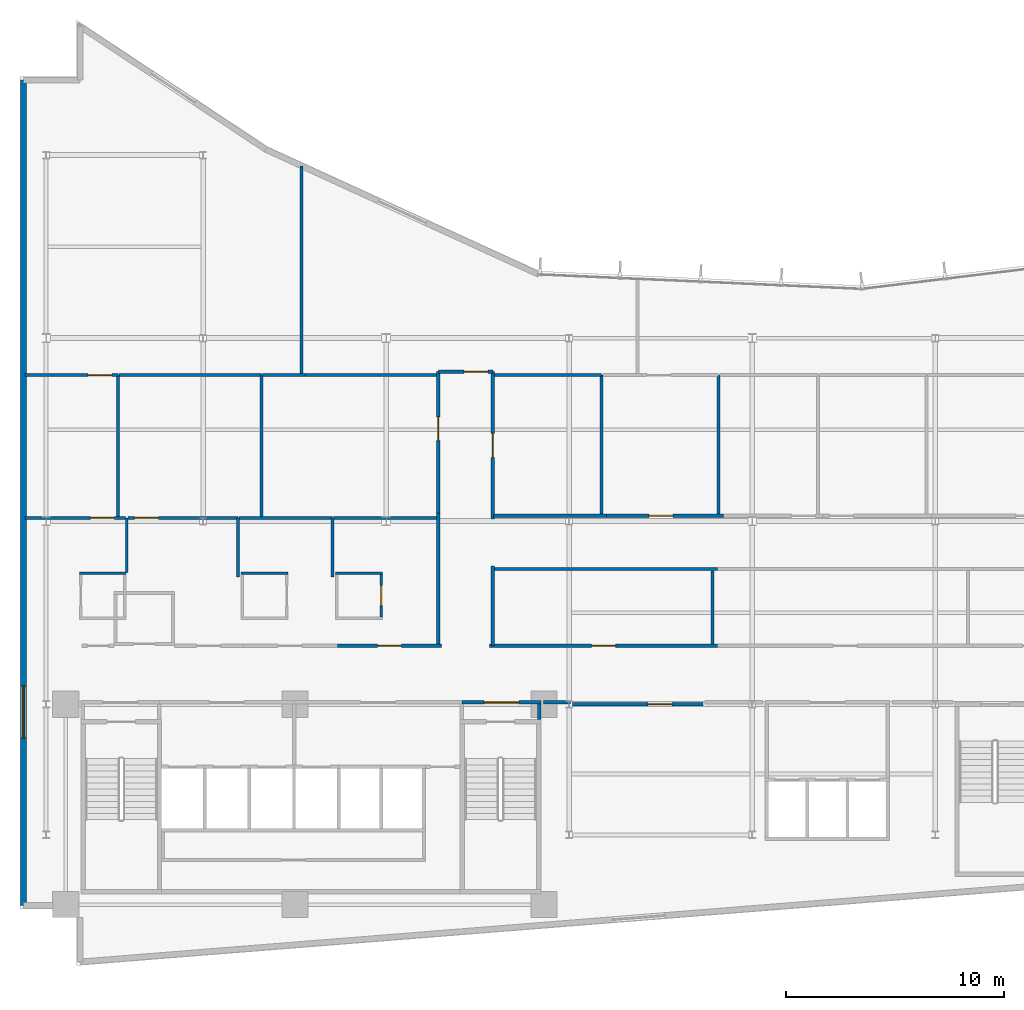
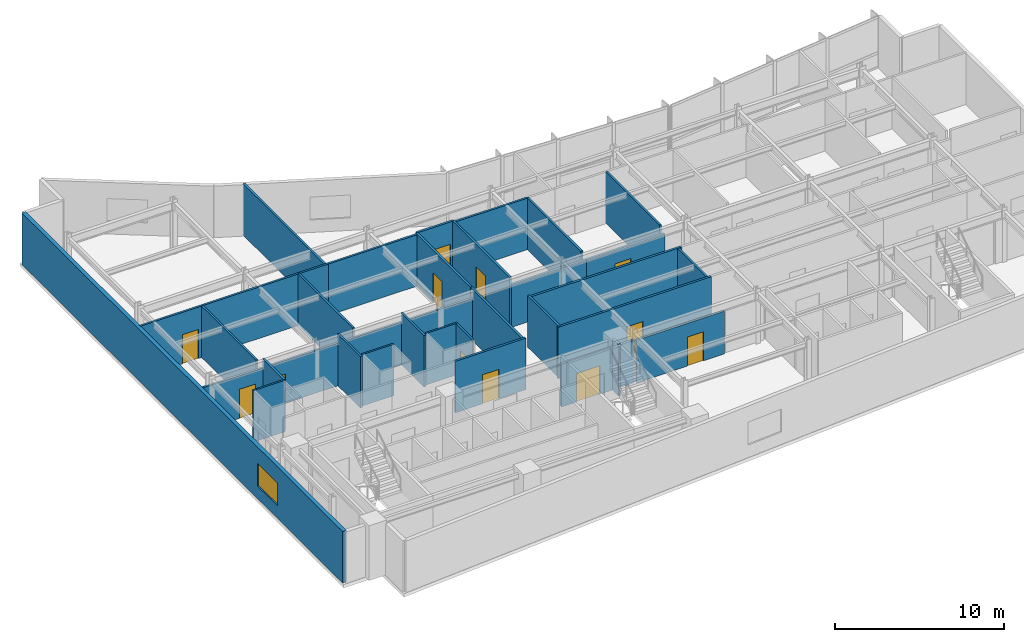
# One storey, part 10 of 17: 37 walls, 12 doors, 1 window, 13 openings.
"""IFC4 building model written with IfcOpenShell, lengths in metres."""

from ifc_helpers import new_model, si_unit, direction, frame, frame_2d, origin, place, context, subcontext, project, spatial, rectangle, extrude, material, layer, layer_set, type_object, element, fill, save


model = new_model("IFC4")

# Units and contexts
model_context = context("Model", 3, precision=1e-05, world=origin(), true_north=direction((0.0, 1.0)))
body_context = subcontext(model_context, "Body", "Model", "MODEL_VIEW")
ifc_project = project(units=[si_unit("LENGTHUNIT", "METRE"), si_unit("AREAUNIT", "SQUARE_METRE"), si_unit("VOLUMEUNIT", "CUBIC_METRE"), si_unit("PLANEANGLEUNIT", "RADIAN"), si_unit("MASSUNIT", "GRAM", prefix="KILO")], contexts=[model_context])

# Site, building, storey
site_placement = place(None, origin())
site = spatial("IfcSite", under=ifc_project, at=site_placement, CompositionType="ELEMENT")
building_placement = place(site_placement, origin())
building = spatial("IfcBuilding", under=site, at=building_placement, Name="Varnakote Quay Hospital", CompositionType="ELEMENT")
storey_placement = place(building_placement, frame((0.0, 0.0, 111.25)))
storey = spatial("IfcBuildingStorey", under=building, at=storey_placement, Name="L27", CompositionType="ELEMENT", Elevation=111.25)

# Wall, opening, door
ifc_material_1 = material(Name="Fire-rated acoustic gypsum stud wall", Category="gypsum")
ifc_layer_1 = layer(ifc_material_1, 0.159912109375)
ifc_layer_set_1 = layer_set([ifc_layer_1], Name="Fire-rated acoustic gypsum stud wall")
wall_type_1 = type_object("IfcWallType", Name="WL-COMP-160", PredefinedType="PARTITIONING", material=ifc_layer_set_1)
wall_1_placement = place(storey_placement, frame((20.280029296875, 12.080078125, 0.0), z_axis=(0.0, 0.0, 1.0), x_axis=(1.0, 0.0, 0.0)))
wall_1 = element("IfcWall", 1, at=wall_1_placement, inside=storey, type_object=wall_type_1, Name="L27 East Stair Vestibule Smoke Wall", PredefinedType="PARTITIONING", context=body_context, shape_type="SweptSolid", body=[
    extrude(rectangle(XDim=3.619873046875, YDim=0.159912109375, at=frame_2d((1.81005859375, 0.0))), origin(), (0.0, 0.0, 1.0), 3.0830078125),
])
opening_1_placement = place(wall_1_placement, frame((1.010009765625, 0.0, 0.0)))
opening_1 = element("IfcOpeningElement", 2, at=opening_1_placement, cuts=wall_1, Name="Opening D-ST2L-L27", PredefinedType="OPENING", context=body_context, shape_type="SweptSolid", body=[
    extrude(rectangle(XDim=1.60009765625, YDim=2.050048828125, at=frame_2d((0.800048828125, 1.02490234375))), frame((0.0, 0.08984375, 0.0), z_axis=(0.0, -1.0, 0.0), x_axis=(1.0, 0.0, 0.0)), (0.0, 0.0, 1.0), 0.179931640625),
])
ifc_material_2 = material(Name="Fire-rated double smoke lobby door")
door_type_1 = type_object("IfcDoorType", Name="DR-LOBBY-FD60S-1600x2150", OperationType="NOTDEFINED", PredefinedType="DOOR", material=ifc_material_2)
door_1_placement = place(opening_1_placement, origin())
door_1 = element("IfcDoor", 3, at=door_1_placement, inside=storey, type_object=door_type_1, Name="L27 East Stair Vestibule Smoke Door", OperationType="DOUBLE_DOOR_SINGLE_SWING", OverallHeight=2.050048828125, OverallWidth=1.60009765625, PredefinedType="DOOR", context=body_context, shape_type="SweptSolid", body=[
    extrude(rectangle(XDim=1.60009765625, YDim=2.050048828125, at=frame_2d((0.800048828125, 1.02490234375))), frame((0.0, 0.02490234375, 0.0), z_axis=(0.0, -1.0, 0.0), x_axis=(1.0, 0.0, 0.0)), (0.0, 0.0, 1.0), 0.050048828125),
])
fill(opening_1, door_1)

# Walls
wall_2_placement = place(storey_placement, frame((23.820068359375, 11.300048828125, 0.0), z_axis=(0.0, 0.0, 1.0), x_axis=(0.0, 1.0, 0.0)))
element("IfcWall", 4, at=wall_2_placement, inside=storey, type_object=wall_type_1, Name="L27 East Stair Vestibule East Wall", PredefinedType="PARTITIONING", context=body_context, shape_type="SweptSolid", body=[
    extrude(rectangle(XDim=0.699951171875, YDim=0.159912109375, at=frame_2d((0.35009765625, 0.0))), origin(), (0.0, 0.0, 1.0), 3.7099609375),
])
wall_3_placement = place(storey_placement, frame((24.02001953125, 12.080078125, 0.0), z_axis=(0.0, 0.0, 1.0), x_axis=(1.0, 0.0, 0.0)))
element("IfcWall", 5, at=wall_3_placement, inside=storey, type_object=wall_type_1, Name="L27 Corridor South Gap Wall", PredefinedType="PARTITIONING", context=body_context, shape_type="SweptSolid", body=[
    extrude(rectangle(XDim=1.2451171875, YDim=0.159912109375, at=frame_2d((0.62255859375, 0.0))), origin(), (0.0, 0.0, 1.0), 3.0830078125),
])
ifc_material_3 = material(Name="Moisture-resistant bathroom partition", Category="gypsum")
ifc_layer_2 = layer(ifc_material_3, 0.114990234375)
ifc_layer_set_2 = layer_set([ifc_layer_2], Name="Moisture-resistant bathroom partition")
wall_type_2 = type_object("IfcWallType", Name="WL-ENS-115", PredefinedType="PARTITIONING", material=ifc_layer_set_2)
for number, where, z_axis, x_axis, name in (
    (6, (2.72509765625, 18.017578125, 0.0), (0.0, 0.0, 1.0), (1.0, 0.0, 0.0), "L27 Inpatient En-Suite Bathroom 01 N Wall"),
    (7, (10.14501953125, 18.017578125, 0.0), (0.0, 0.0, 1.0), (1.0, 0.0, 0.0), "L27 Inpatient En-Suite Bathroom 02 N Wall"),
    (8, (14.485107421875, 18.017578125, 0.0), (0.0, 0.0, 1.0), (1.0, 0.0, 0.0), "L27 Inpatient En-Suite Bathroom 03 N Wall"),
):
    element("IfcWall", number, at=place(storey_placement, frame(where, z_axis=z_axis, x_axis=x_axis)), inside=storey, type_object=wall_type_2, Name=name, PredefinedType="PARTITIONING", context=body_context, shape_type="SweptSolid", body=[
        extrude(rectangle(XDim=2.14990234375, YDim=0.114990234375, at=frame_2d((1.074951171875, 0.0))), origin(), (0.0, 0.0, 1.0), 3.7099609375),
    ])

# Wall, opening, door
wall_4_placement = place(storey_placement, frame((16.577392578125, 16.010009765625, 0.0), z_axis=(0.0, 0.0, 1.0), x_axis=(0.0, 1.0, 0.0)))
wall_4 = element("IfcWall", 9, at=wall_4_placement, inside=storey, type_object=wall_type_2, Name="L27 Inpatient En-Suite Bathroom 03 E Wall", PredefinedType="PARTITIONING", context=body_context, shape_type="SweptSolid", body=[
    extrude(rectangle(XDim=1.949951171875, YDim=0.114990234375, at=frame_2d((0.97509765625, 0.0))), origin(), (0.0, 0.0, 1.0), 3.7099609375),
])
opening_2_placement = place(wall_4_placement, frame((0.514892578125, 0.0, 0.0)))
opening_2 = element("IfcOpeningElement", 10, at=opening_2_placement, cuts=wall_4, Name="Opening D-L27-ENS03", PredefinedType="OPENING", context=body_context, shape_type="SweptSolid", body=[
    extrude(rectangle(XDim=0.919921875, YDim=2.10009765625, at=frame_2d((0.4599609375, 1.050048828125))), frame((0.0, 0.0673828125, 0.0), z_axis=(0.0, -1.0, 0.0), x_axis=(1.0, 0.0, 0.0)), (0.0, 0.0, 1.0), 0.135009765625),
])
ifc_material_4 = material(Name="Moisture-sealed en-suite bathroom door")
door_type_2 = type_object("IfcDoorType", Name="DR-ENS-920x2100", OperationType="NOTDEFINED", PredefinedType="DOOR", material=ifc_material_4)
door_2_placement = place(opening_2_placement, origin())
door_2 = element("IfcDoor", 11, at=door_2_placement, inside=storey, type_object=door_type_2, Name="L27 Inpatient En-Suite Bathroom 03 Door", OperationType="SINGLE_SWING_RIGHT", OverallHeight=2.10009765625, OverallWidth=0.919921875, PredefinedType="DOOR", context=body_context, shape_type="SweptSolid", body=[
    extrude(rectangle(XDim=0.919921875, YDim=2.10009765625, at=frame_2d((0.4599609375, 1.050048828125))), frame((0.0, 0.02490234375, 0.0), z_axis=(0.0, -1.0, 0.0), x_axis=(1.0, 0.0, 0.0)), (0.0, 0.0, 1.0), 0.050048828125),
])
fill(opening_2, door_2)

# Wall, opening, window
ifc_material_5 = material(Name="Precast concrete N50 (f'c 50 MPa)", Category="concrete")
ifc_layer_3 = layer(ifc_material_5, 0.260009765625)
ifc_layer_set_3 = layer_set([ifc_layer_3], Name="Precast concrete N50 (f'c 50 MPa)")
wall_type_3 = type_object("IfcWallType", Name="WL-EXT-BRICK-260", PredefinedType="STANDARD", material=ifc_layer_set_3)
wall_5_placement = place(storey_placement, frame((0.159912109375, 40.639892578125, 0.0), z_axis=(0.0, 0.0, 1.0), x_axis=(0.0, -1.0, 0.0)))
wall_5 = element("IfcWall", 12, at=wall_5_placement, inside=storey, type_object=wall_type_3, Name="L27 Brick-Faced Precast Exterior Wall", PredefinedType="STANDARD", context=body_context, shape_type="SweptSolid", body=[
    extrude(rectangle(XDim=37.8798828125, YDim=0.260009765625, at=frame_2d((18.93994140625, 0.0))), origin(), (0.0, 0.0, 1.0), 3.7099609375),
])
opening_3_placement = place(wall_5_placement, frame((27.794921875, 0.0, 0.89990234375)))
opening_3 = element("IfcOpeningElement", 13, at=opening_3_placement, cuts=wall_5, Name="Opening WN-0121", PredefinedType="OPENING", context=body_context, shape_type="SweptSolid", body=[
    extrude(rectangle(XDim=2.39990234375, YDim=1.64990234375, at=frame_2d((1.199951171875, 0.824951171875))), frame((0.0, 0.139892578125, 0.0), z_axis=(0.0, -1.0, 0.0), x_axis=(1.0, 0.0, 0.0)), (0.0, 0.0, 1.0), 0.280029296875),
])
ifc_material_6 = material(Name="Double-glazed low-E solar glass", Category="glass")
window_type = type_object("IfcWindowType", Name="WIN-CLIN-2400x1650", PartitioningType="SINGLE_PANEL", PredefinedType="WINDOW", material=ifc_material_6)
window_placement = place(opening_3_placement, origin())
window = element("IfcWindow", 14, at=window_placement, inside=storey, type_object=window_type, Name="L27 Solar-Control Clinical Window", OverallHeight=1.64990234375, OverallWidth=2.39990234375, PartitioningType="SINGLE_PANEL", PredefinedType="WINDOW", context=body_context, shape_type="SweptSolid", body=[
    extrude(rectangle(XDim=2.39990234375, YDim=1.64990234375, at=frame_2d((1.199951171875, 0.824951171875))), frame((0.0, 0.030029296875, 0.0), z_axis=(0.0, -1.0, 0.0), x_axis=(1.0, 0.0, 0.0)), (0.0, 0.0, 1.0), 0.06005859375),
])
fill(opening_3, window)

# Wall
ifc_material_7 = material(Name="Smoke-proof clinical partition", Category="gypsum")
ifc_layer_4 = layer(ifc_material_7, 0.135009765625)
ifc_layer_set_4 = layer_set([ifc_layer_4], Name="Smoke-proof clinical partition")
wall_type_4 = type_object("IfcWallType", Name="WL-SMOKE-135", PredefinedType="PARTITIONING", material=ifc_layer_set_4)
wall_6_placement = place(storey_placement, frame((4.89990234375, 18.0400390625, 0.0), z_axis=(0.0, 0.0, 1.0), x_axis=(0.0, 1.0, 0.0)))
element("IfcWall", 15, at=wall_6_placement, inside=storey, type_object=wall_type_4, Name="L27 Clinical Interior Partition", PredefinedType="PARTITIONING", context=body_context, shape_type="SweptSolid", body=[
    extrude(rectangle(XDim=2.510009765625, YDim=0.135009765625, at=frame_2d((1.2548828125, 0.0))), origin(), (0.0, 0.0, 1.0), 3.7099609375),
])

# Wall, opening, door
wall_7_placement = place(storey_placement, frame((4.842529296875, 20.550048828125, 0.0), z_axis=(0.0, 0.0, 1.0), x_axis=(-1.0, 0.0, 0.0)))
wall_7 = element("IfcWall", 16, at=wall_7_placement, inside=storey, type_object=wall_type_4, Name="L27 Clinical Interior Partition", PredefinedType="PARTITIONING", context=body_context, shape_type="SweptSolid", body=[
    extrude(rectangle(XDim=4.6025390625, YDim=0.135009765625, at=frame_2d((2.30126953125, 0.0))), origin(), (0.0, 0.0, 1.0), 3.0830078125),
])
opening_4_placement = place(wall_7_placement, frame((0.51025390625, 0.0, 0.0)))
opening_4 = element("IfcOpeningElement", 17, at=opening_4_placement, cuts=wall_7, Name="Opening D-L27-MD05", PredefinedType="OPENING", context=body_context, shape_type="SweptSolid", body=[
    extrude(rectangle(XDim=1.10009765625, YDim=2.10009765625, at=frame_2d((0.550048828125, 1.050048828125))), frame((0.0, 0.077392578125, 0.0), z_axis=(0.0, -1.0, 0.0), x_axis=(1.0, 0.0, 0.0)), (0.0, 0.0, 1.0), 0.155029296875),
])
ifc_material_8 = material(Name="Acoustic timber clinical consult door", Category="wood")
door_type_3 = type_object("IfcDoorType", Name="DR-CLIN-FD30S-1100x2100", OperationType="NOTDEFINED", PredefinedType="DOOR", material=ifc_material_8)
door_3_placement = place(opening_4_placement, origin())
door_3 = element("IfcDoor", 18, at=door_3_placement, inside=storey, type_object=door_type_3, Name="L27 Paediatric Clinical Teaching Room Door", OperationType="SINGLE_SWING_RIGHT", OverallHeight=2.10009765625, OverallWidth=1.10009765625, PredefinedType="DOOR", context=body_context, shape_type="SweptSolid", body=[
    extrude(rectangle(XDim=1.10009765625, YDim=2.10009765625, at=frame_2d((0.550048828125, 1.050048828125))), frame((0.0, 0.02490234375, 0.0), z_axis=(0.0, -1.0, 0.0), x_axis=(1.0, 0.0, 0.0)), (0.0, 0.0, 1.0), 0.050048828125),
])
fill(opening_4, door_3)

# Wall
wall_8_placement = place(storey_placement, frame((10.0, 17.83251953125, 0.0), z_axis=(0.0, 0.0, 1.0), x_axis=(0.0, 1.0, 0.0)))
element("IfcWall", 19, at=wall_8_placement, inside=storey, type_object=wall_type_4, Name="L27 Clinical Interior Partition", PredefinedType="PARTITIONING", context=body_context, shape_type="SweptSolid", body=[
    extrude(rectangle(XDim=2.717529296875, YDim=0.135009765625, at=frame_2d((1.35888671875, 0.0))), origin(), (0.0, 0.0, 1.0), 3.7099609375),
])

# Wall, opening, door
wall_9_placement = place(storey_placement, frame((10.0, 20.550048828125, 0.0), z_axis=(0.0, 0.0, 1.0), x_axis=(-1.0, 0.0, 0.0)))
wall_9 = element("IfcWall", 20, at=wall_9_placement, inside=storey, type_object=wall_type_4, Name="L27 Clinical Interior Partition", PredefinedType="PARTITIONING", context=body_context, shape_type="SweptSolid", body=[
    extrude(rectangle(XDim=5.04248046875, YDim=0.135009765625, at=frame_2d((2.521240234375, 0.0))), origin(), (0.0, 0.0, 1.0), 3.0830078125),
])
opening_5_placement = place(wall_9_placement, frame((3.65380859375, 0.0, 0.0)))
opening_5 = element("IfcOpeningElement", 21, at=opening_5_placement, cuts=wall_9, Name="Opening D-L27-MD06", PredefinedType="OPENING", context=body_context, shape_type="SweptSolid", body=[
    extrude(rectangle(XDim=1.10009765625, YDim=2.10009765625, at=frame_2d((0.550048828125, 1.050048828125))), frame((0.0, 0.077392578125, 0.0), z_axis=(0.0, -1.0, 0.0), x_axis=(1.0, 0.0, 0.0)), (0.0, 0.0, 1.0), 0.155029296875),
])
door_4_placement = place(opening_5_placement, origin())
door_4 = element("IfcDoor", 22, at=door_4_placement, inside=storey, type_object=door_type_3, Name="L27 Maternity Assessment Treatment Suite Door", OperationType="SINGLE_SWING_LEFT", OverallHeight=2.10009765625, OverallWidth=1.10009765625, PredefinedType="DOOR", context=body_context, shape_type="SweptSolid", body=[
    extrude(rectangle(XDim=1.10009765625, YDim=2.10009765625, at=frame_2d((0.550048828125, 1.050048828125))), frame((0.0, 0.02490234375, 0.0), z_axis=(0.0, -1.0, 0.0), x_axis=(1.0, 0.0, 0.0)), (0.0, 0.0, 1.0), 0.050048828125),
])
fill(opening_5, door_4)

# Walls
wall_10_placement = place(storey_placement, frame((14.340087890625, 17.83251953125, 0.0), z_axis=(0.0, 0.0, 1.0), x_axis=(0.0, 1.0, 0.0)))
element("IfcWall", 23, at=wall_10_placement, inside=storey, type_object=wall_type_4, Name="L27 Clinical Interior Partition", PredefinedType="PARTITIONING", context=body_context, shape_type="SweptSolid", body=[
    extrude(rectangle(XDim=2.717529296875, YDim=0.135009765625, at=frame_2d((1.35888671875, 0.0))), origin(), (0.0, 0.0, 1.0), 3.7099609375),
])
wall_11_placement = place(storey_placement, frame((14.340087890625, 20.550048828125, 0.0), z_axis=(0.0, 0.0, 1.0), x_axis=(-1.0, 0.0, 0.0)))
element("IfcWall", 24, at=wall_11_placement, inside=storey, type_object=wall_type_4, Name="L27 Clinical Interior Partition", PredefinedType="PARTITIONING", context=body_context, shape_type="SweptSolid", body=[
    extrude(rectangle(XDim=4.282470703125, YDim=0.135009765625, at=frame_2d((2.14111328125, 0.0))), origin(), (0.0, 0.0, 1.0), 3.0830078125),
])
wall_12_placement = place(storey_placement, frame((19.1201171875, 20.550048828125, 0.0), z_axis=(0.0, 0.0, 1.0), x_axis=(-1.0, 0.0, 0.0)))
element("IfcWall", 25, at=wall_12_placement, inside=storey, type_object=wall_type_4, Name="L27 Clinical Interior Partition", PredefinedType="PARTITIONING", context=body_context, shape_type="SweptSolid", body=[
    extrude(rectangle(XDim=4.72265625, YDim=0.135009765625, at=frame_2d((2.361328125, 0.0))), origin(), (0.0, 0.0, 1.0), 3.0830078125),
])
wall_13_placement = place(storey_placement, frame((31.780029296875, 14.760009765625, 0.0), z_axis=(0.0, 0.0, 1.0), x_axis=(0.0, 1.0, 0.0)))
element("IfcWall", 26, at=wall_13_placement, inside=storey, type_object=wall_type_4, Name="L27 Clinical Interior Partition", PredefinedType="PARTITIONING", context=body_context, shape_type="SweptSolid", body=[
    extrude(rectangle(XDim=3.360107421875, YDim=0.135009765625, at=frame_2d((1.68017578125, 0.0))), origin(), (0.0, 0.0, 1.0), 3.7099609375),
])
wall_14_placement = place(storey_placement, frame((4.489990234375, 20.607421875, 0.0), z_axis=(0.0, 0.0, 1.0), x_axis=(0.0, 1.0, 0.0)))
element("IfcWall", 27, at=wall_14_placement, inside=storey, type_object=wall_type_4, Name="L27 Clinical Interior Partition", PredefinedType="PARTITIONING", context=body_context, shape_type="SweptSolid", body=[
    extrude(rectangle(XDim=6.49267578125, YDim=0.135009765625, at=frame_2d((3.246337890625, 0.0))), origin(), (0.0, 0.0, 1.0), 3.7099609375),
])

# Wall, opening, door
wall_15_placement = place(storey_placement, frame((4.489990234375, 27.10009765625, 0.0), z_axis=(0.0, 0.0, 1.0), x_axis=(-1.0, 0.0, 0.0)))
wall_15 = element("IfcWall", 28, at=wall_15_placement, inside=storey, type_object=wall_type_4, Name="L27 Clinical Interior Partition", PredefinedType="PARTITIONING", context=body_context, shape_type="SweptSolid", body=[
    extrude(rectangle(XDim=4.25, YDim=0.135009765625, at=frame_2d((2.125, 0.0))), origin(), (0.0, 0.0, 1.0), 3.7099609375),
])
opening_6_placement = place(wall_15_placement, frame((0.268798828125, 0.0, 0.0)))
opening_6 = element("IfcOpeningElement", 29, at=opening_6_placement, cuts=wall_15, Name="Opening D-L27-MD15", PredefinedType="OPENING", context=body_context, shape_type="SweptSolid", body=[
    extrude(rectangle(XDim=1.10009765625, YDim=2.10009765625, at=frame_2d((0.550048828125, 1.050048828125))), frame((0.0, 0.077392578125, 0.0), z_axis=(0.0, -1.0, 0.0), x_axis=(1.0, 0.0, 0.0)), (0.0, 0.0, 1.0), 0.155029296875),
])
door_5_placement = place(opening_6_placement, origin())
door_5 = element("IfcDoor", 30, at=door_5_placement, inside=storey, type_object=door_type_3, Name="L27 Perinatal Clinical Consultation Suite Door", OperationType="SINGLE_SWING_RIGHT", OverallHeight=2.10009765625, OverallWidth=1.10009765625, PredefinedType="DOOR", context=body_context, shape_type="SweptSolid", body=[
    extrude(rectangle(XDim=1.10009765625, YDim=2.10009765625, at=frame_2d((0.550048828125, 1.050048828125))), frame((0.0, 0.02490234375, 0.0), z_axis=(0.0, -1.0, 0.0), x_axis=(1.0, 0.0, 0.0)), (0.0, 0.0, 1.0), 0.050048828125),
])
fill(opening_6, door_5)

# Walls
wall_16_placement = place(storey_placement, frame((11.080078125, 20.607421875, 0.0), z_axis=(0.0, 0.0, 1.0), x_axis=(0.0, 1.0, 0.0)))
element("IfcWall", 31, at=wall_16_placement, inside=storey, type_object=wall_type_4, Name="L27 Clinical Interior Partition", PredefinedType="PARTITIONING", context=body_context, shape_type="SweptSolid", body=[
    extrude(rectangle(XDim=6.49267578125, YDim=0.135009765625, at=frame_2d((3.246337890625, 0.0))), origin(), (0.0, 0.0, 1.0), 3.7099609375),
])
wall_17_placement = place(storey_placement, frame((11.080078125, 27.10009765625, 0.0), z_axis=(0.0, 0.0, 1.0), x_axis=(-1.0, 0.0, 0.0)))
element("IfcWall", 32, at=wall_17_placement, inside=storey, type_object=wall_type_4, Name="L27 Clinical Interior Partition", PredefinedType="PARTITIONING", context=body_context, shape_type="SweptSolid", body=[
    extrude(rectangle(XDim=6.532470703125, YDim=0.135009765625, at=frame_2d((3.26611328125, 0.0))), origin(), (0.0, 0.0, 1.0), 3.7099609375),
])
wall_18_placement = place(storey_placement, frame((13.08837890625, 27.10009765625, 0.0), z_axis=(0.0, 0.0, 1.0), x_axis=(-1.0, 0.0, 0.0)))
element("IfcWall", 33, at=wall_18_placement, inside=storey, type_object=wall_type_4, Name="L27 Clinical Interior Partition", PredefinedType="PARTITIONING", context=body_context, shape_type="SweptSolid", body=[
    extrude(rectangle(XDim=1.950927734375, YDim=0.135009765625, at=frame_2d((0.9755859375, 0.0))), origin(), (0.0, 0.0, 1.0), 3.7099609375),
])
wall_19_placement = place(storey_placement, frame((19.1201171875, 27.10009765625, 0.0), z_axis=(0.0, 0.0, 1.0), x_axis=(-1.0, 0.0, 0.0)))
element("IfcWall", 34, at=wall_19_placement, inside=storey, type_object=wall_type_4, Name="L27 Clinical Interior Partition", PredefinedType="PARTITIONING", context=body_context, shape_type="SweptSolid", body=[
    extrude(rectangle(XDim=6.029541015625, YDim=0.135009765625, at=frame_2d((3.0146484375, 0.0))), origin(), (0.0, 0.0, 1.0), 3.7099609375),
])
wall_20_placement = place(storey_placement, frame((26.68994140625, 20.715087890625, 0.0), z_axis=(0.0, 0.0, 1.0), x_axis=(0.0, 1.0, 0.0)))
element("IfcWall", 35, at=wall_20_placement, inside=storey, type_object=wall_type_4, Name="L27 Clinical Interior Partition", PredefinedType="PARTITIONING", context=body_context, shape_type="SweptSolid", body=[
    extrude(rectangle(XDim=6.385009765625, YDim=0.135009765625, at=frame_2d((3.1923828125, 0.0))), origin(), (0.0, 0.0, 1.0), 3.7099609375),
])
wall_21_placement = place(storey_placement, frame((26.68994140625, 27.10009765625, 0.0), z_axis=(0.0, 0.0, 1.0), x_axis=(-1.0, 0.0, 0.0)))
element("IfcWall", 36, at=wall_21_placement, inside=storey, type_object=wall_type_4, Name="L27 Clinical Interior Partition", PredefinedType="PARTITIONING", context=body_context, shape_type="SweptSolid", body=[
    extrude(rectangle(XDim=4.925048828125, YDim=0.135009765625, at=frame_2d((2.46240234375, 0.0))), origin(), (0.0, 0.0, 1.0), 3.7099609375),
])
wall_22_placement = place(storey_placement, frame((32.06005859375, 20.715087890625, 0.0), z_axis=(0.0, 0.0, 1.0), x_axis=(0.0, 1.0, 0.0)))
element("IfcWall", 37, at=wall_22_placement, inside=storey, type_object=wall_type_4, Name="L27 Clinical Interior Partition", PredefinedType="PARTITIONING", context=body_context, shape_type="SweptSolid", body=[
    extrude(rectangle(XDim=6.385009765625, YDim=0.135009765625, at=frame_2d((3.1923828125, 0.0))), origin(), (0.0, 0.0, 1.0), 3.7099609375),
])
wall_23_placement = place(storey_placement, frame((12.909912109375, 27.157470703125, 0.0), z_axis=(0.0, 0.0, 1.0), x_axis=(0.0, 1.0, 0.0)))
element("IfcWall", 38, at=wall_23_placement, inside=storey, type_object=wall_type_4, Name="L27 Clinical Interior Partition", PredefinedType="PARTITIONING", context=body_context, shape_type="SweptSolid", body=[
    extrude(rectangle(XDim=9.552734375, YDim=0.135009765625, at=frame_2d((4.7763671875, 0.0))), origin(), (0.0, 0.0, 1.0), 3.7099609375),
])

# Wall, opening, door
ifc_material_9 = material(Name="Fire-rated clinical gypsum partition", Category="gypsum")
ifc_layer_5 = layer(ifc_material_9, 0.14990234375)
ifc_layer_set_5 = layer_set([ifc_layer_5], Name="Fire-rated clinical gypsum partition")
wall_type_5 = type_object("IfcWallType", Name="WL-WARD-150", PredefinedType="PARTITIONING", material=ifc_layer_set_5)
wall_24_placement = place(storey_placement, frame((31.35009765625, 12.0, 0.0), z_axis=(0.0, 0.0, 1.0), x_axis=(-1.0, 0.0, 0.0)))
wall_24 = element("IfcWall", 39, at=wall_24_placement, inside=storey, type_object=wall_type_5, Name="L27 Clinical Interior Partition", PredefinedType="PARTITIONING", context=body_context, shape_type="SweptSolid", body=[
    extrude(rectangle(XDim=5.99560546875, YDim=0.14990234375, at=frame_2d((2.997802734375, 0.0))), origin(), (0.0, 0.0, 1.0), 3.0830078125),
])
opening_7_placement = place(wall_24_placement, frame((1.436279296875, 0.0, 0.0)))
opening_7 = element("IfcOpeningElement", 40, at=opening_7_placement, cuts=wall_24, Name="Opening D-L27-RL1", PredefinedType="OPENING", context=body_context, shape_type="SweptSolid", body=[
    extrude(rectangle(XDim=1.10009765625, YDim=2.10009765625, at=frame_2d((0.550048828125, 1.050048828125))), frame((0.0, 0.0849609375, 0.0), z_axis=(0.0, -1.0, 0.0), x_axis=(1.0, 0.0, 0.0)), (0.0, 0.0, 1.0), 0.169921875),
])
door_6_placement = place(opening_7_placement, origin())
door_6 = element("IfcDoor", 41, at=door_6_placement, inside=storey, type_object=door_type_3, Name="L27 Day Infusion Treatment Suite Door", OperationType="SINGLE_SWING_LEFT", OverallHeight=2.10009765625, OverallWidth=1.10009765625, PredefinedType="DOOR", context=body_context, shape_type="SweptSolid", body=[
    extrude(rectangle(XDim=1.10009765625, YDim=2.10009765625, at=frame_2d((0.550048828125, 1.050048828125))), frame((0.0, 0.02490234375, 0.0), z_axis=(0.0, -1.0, 0.0), x_axis=(1.0, 0.0, 0.0)), (0.0, 0.0, 1.0), 0.050048828125),
])
fill(opening_7, door_6)

wall_25_placement = place(storey_placement, frame((19.345947265625, 14.679931640625, 0.0), z_axis=(0.0, 0.0, 1.0), x_axis=(-1.0, 0.0, 0.0)))
wall_25 = element("IfcWall", 42, at=wall_25_placement, inside=storey, type_object=wall_type_5, Name="L27 Clinical Interior Partition", PredefinedType="PARTITIONING", context=body_context, shape_type="SweptSolid", body=[
    extrude(rectangle(XDim=4.77783203125, YDim=0.14990234375, at=frame_2d((2.388916015625, 0.0))), origin(), (0.0, 0.0, 1.0), 3.7099609375),
])
opening_8_placement = place(wall_25_placement, frame((1.839111328125, 0.0, 0.0)))
opening_8 = element("IfcOpeningElement", 43, at=opening_8_placement, cuts=wall_25, Name="Opening D-L27-BR03", PredefinedType="OPENING", context=body_context, shape_type="SweptSolid", body=[
    extrude(rectangle(XDim=1.10009765625, YDim=2.10009765625, at=frame_2d((0.550048828125, 1.050048828125))), frame((0.0, 0.0849609375, 0.0), z_axis=(0.0, -1.0, 0.0), x_axis=(1.0, 0.0, 0.0)), (0.0, 0.0, 1.0), 0.169921875),
])
door_7_placement = place(opening_8_placement, origin())
door_7 = element("IfcDoor", 44, at=door_7_placement, inside=storey, type_object=door_type_3, Name="L27 Inpatient Clinical Treatment Room 03 Door", OperationType="SINGLE_SWING_RIGHT", OverallHeight=2.10009765625, OverallWidth=1.10009765625, PredefinedType="DOOR", context=body_context, shape_type="SweptSolid", body=[
    extrude(rectangle(XDim=1.10009765625, YDim=2.10009765625, at=frame_2d((0.550048828125, 1.050048828125))), frame((0.0, 0.02490234375, 0.0), z_axis=(0.0, -1.0, 0.0), x_axis=(1.0, 0.0, 0.0)), (0.0, 0.0, 1.0), 0.050048828125),
])
fill(opening_8, door_7)

wall_26_placement = place(storey_placement, frame((32.006103515625, 14.679931640625, 0.0), z_axis=(0.0, 0.0, 1.0), x_axis=(-1.0, 0.0, 0.0)))
wall_26 = element("IfcWall", 45, at=wall_26_placement, inside=storey, type_object=wall_type_5, Name="L27 Clinical Interior Partition", PredefinedType="PARTITIONING", context=body_context, shape_type="SweptSolid", body=[
    extrude(rectangle(XDim=10.4521484375, YDim=0.14990234375, at=frame_2d((5.22607421875, 0.0))), origin(), (0.0, 0.0, 1.0), 3.7099609375),
])
opening_9_placement = place(wall_26_placement, frame((4.676025390625, 0.0, 0.0)))
opening_9 = element("IfcOpeningElement", 46, at=opening_9_placement, cuts=wall_26, Name="Opening D-L27-MD02", PredefinedType="OPENING", context=body_context, shape_type="SweptSolid", body=[
    extrude(rectangle(XDim=1.10009765625, YDim=2.10009765625, at=frame_2d((0.550048828125, 1.050048828125))), frame((0.0, 0.0849609375, 0.0), z_axis=(0.0, -1.0, 0.0), x_axis=(1.0, 0.0, 0.0)), (0.0, 0.0, 1.0), 0.169921875),
])
door_8_placement = place(opening_9_placement, origin())
door_8 = element("IfcDoor", 47, at=door_8_placement, inside=storey, type_object=door_type_3, Name="L27 Maternity Assessment Treatment Suite Door", OperationType="SINGLE_SWING_LEFT", OverallHeight=2.10009765625, OverallWidth=1.10009765625, PredefinedType="DOOR", context=body_context, shape_type="SweptSolid", body=[
    extrude(rectangle(XDim=1.10009765625, YDim=2.10009765625, at=frame_2d((0.550048828125, 1.050048828125))), frame((0.0, 0.02490234375, 0.0), z_axis=(0.0, -1.0, 0.0), x_axis=(1.0, 0.0, 0.0)), (0.0, 0.0, 1.0), 0.050048828125),
])
fill(opening_9, door_8)

# Walls
wall_27_placement = place(storey_placement, frame((19.199951171875, 20.77587890625, 0.0), z_axis=(0.0, 0.0, 1.0), x_axis=(0.0, -1.0, 0.0)))
element("IfcWall", 48, at=wall_27_placement, inside=storey, type_object=wall_type_5, Name="L27 Clinical Interior Partition", PredefinedType="PARTITIONING", context=body_context, shape_type="SweptSolid", body=[
    extrude(rectangle(XDim=6.075927734375, YDim=0.14990234375, at=frame_2d((3.0380859375, 0.0))), origin(), (0.0, 0.0, 1.0), 3.7099609375),
])
wall_28_placement = place(storey_placement, frame((21.699951171875, 14.699951171875, 0.0), z_axis=(0.0, 0.0, 1.0), x_axis=(0.0, 1.0, 0.0)))
element("IfcWall", 49, at=wall_28_placement, inside=storey, type_object=wall_type_5, Name="L27 Clinical Interior Partition", PredefinedType="PARTITIONING", context=body_context, shape_type="SweptSolid", body=[
    extrude(rectangle(XDim=3.64599609375, YDim=0.14990234375, at=frame_2d((1.822998046875, 0.0))), origin(), (0.0, 0.0, 1.0), 3.7099609375),
])

# Wall, opening, door
wall_29_placement = place(storey_placement, frame((19.199951171875, 27.260009765625, 0.0), z_axis=(0.0, 0.0, 1.0), x_axis=(0.0, -1.0, 0.0)))
wall_29 = element("IfcWall", 50, at=wall_29_placement, inside=storey, type_object=wall_type_5, Name="L27 Clinical Interior Partition", PredefinedType="PARTITIONING", context=body_context, shape_type="SweptSolid", body=[
    extrude(rectangle(XDim=6.48193359375, YDim=0.14990234375, at=frame_2d((3.240966796875, 0.0))), origin(), (0.0, 0.0, 1.0), 3.7099609375),
])
opening_10_placement = place(wall_29_placement, frame((2.068359375, 0.0, 0.0)))
opening_10 = element("IfcOpeningElement", 51, at=opening_10_placement, cuts=wall_29, Name="Opening D-L27-MD07", PredefinedType="OPENING", context=body_context, shape_type="SweptSolid", body=[
    extrude(rectangle(XDim=1.10009765625, YDim=2.10009765625, at=frame_2d((0.550048828125, 1.050048828125))), frame((0.0, 0.0849609375, 0.0), z_axis=(0.0, -1.0, 0.0), x_axis=(1.0, 0.0, 0.0)), (0.0, 0.0, 1.0), 0.169921875),
])
door_9_placement = place(opening_10_placement, origin())
door_9 = element("IfcDoor", 52, at=door_9_placement, inside=storey, type_object=door_type_3, Name="L27 Perinatal Clinical Consultation Suite Door", OperationType="SINGLE_SWING_LEFT", OverallHeight=2.10009765625, OverallWidth=1.10009765625, PredefinedType="DOOR", context=body_context, shape_type="SweptSolid", body=[
    extrude(rectangle(XDim=1.10009765625, YDim=2.10009765625, at=frame_2d((0.550048828125, 1.050048828125))), frame((0.0, 0.02490234375, 0.0), z_axis=(0.0, -1.0, 0.0), x_axis=(1.0, 0.0, 0.0)), (0.0, 0.0, 1.0), 0.050048828125),
])
fill(opening_10, door_9)

wall_30_placement = place(storey_placement, frame((21.699951171875, 20.50390625, 0.0), z_axis=(0.0, 0.0, 1.0), x_axis=(0.0, 1.0, 0.0)))
wall_30 = element("IfcWall", 53, at=wall_30_placement, inside=storey, type_object=wall_type_5, Name="L27 Clinical Interior Partition", PredefinedType="PARTITIONING", context=body_context, shape_type="SweptSolid", body=[
    extrude(rectangle(XDim=6.756103515625, YDim=0.14990234375, at=frame_2d((3.3779296875, 0.0))), origin(), (0.0, 0.0, 1.0), 3.7099609375),
])
opening_11_placement = place(wall_30_placement, frame((2.827880859375, 0.0, 0.0)))
opening_11 = element("IfcOpeningElement", 54, at=opening_11_placement, cuts=wall_30, Name="Opening D-L27-MD08", PredefinedType="OPENING", context=body_context, shape_type="SweptSolid", body=[
    extrude(rectangle(XDim=1.10009765625, YDim=2.10009765625, at=frame_2d((0.550048828125, 1.050048828125))), frame((0.0, 0.0849609375, 0.0), z_axis=(0.0, -1.0, 0.0), x_axis=(1.0, 0.0, 0.0)), (0.0, 0.0, 1.0), 0.169921875),
])
door_10_placement = place(opening_11_placement, origin())
door_10 = element("IfcDoor", 55, at=door_10_placement, inside=storey, type_object=door_type_3, Name="L27 Midwifery Coordination Office Door", OperationType="SINGLE_SWING_RIGHT", OverallHeight=2.10009765625, OverallWidth=1.10009765625, PredefinedType="DOOR", context=body_context, shape_type="SweptSolid", body=[
    extrude(rectangle(XDim=1.10009765625, YDim=2.10009765625, at=frame_2d((0.550048828125, 1.050048828125))), frame((0.0, 0.02490234375, 0.0), z_axis=(0.0, -1.0, 0.0), x_axis=(1.0, 0.0, 0.0)), (0.0, 0.0, 1.0), 0.050048828125),
])
fill(opening_11, door_10)

wall_31_placement = place(storey_placement, frame((21.699951171875, 27.260009765625, 0.0), z_axis=(0.0, 0.0, 1.0), x_axis=(-1.0, 0.0, 0.0)))
wall_31 = element("IfcWall", 56, at=wall_31_placement, inside=storey, type_object=wall_type_5, Name="L27 Clinical Interior Partition", PredefinedType="PARTITIONING", context=body_context, shape_type="SweptSolid", body=[
    extrude(rectangle(XDim=2.5, YDim=0.14990234375, at=frame_2d((1.25, 0.0))), origin(), (0.0, 0.0, 1.0), 3.7099609375),
])
opening_12_placement = place(wall_31_placement, frame((0.22509765625, 0.0, 0.0)))
opening_12 = element("IfcOpeningElement", 57, at=opening_12_placement, cuts=wall_31, Name="Opening D-L27-MD16", PredefinedType="OPENING", context=body_context, shape_type="SweptSolid", body=[
    extrude(rectangle(XDim=1.10009765625, YDim=2.10009765625, at=frame_2d((0.550048828125, 1.050048828125))), frame((0.0, 0.0849609375, 0.0), z_axis=(0.0, -1.0, 0.0), x_axis=(1.0, 0.0, 0.0)), (0.0, 0.0, 1.0), 0.169921875),
])
door_11_placement = place(opening_12_placement, origin())
door_11 = element("IfcDoor", 58, at=door_11_placement, inside=storey, type_object=door_type_3, Name="L27 Midwifery Coordination Office Door", OperationType="SINGLE_SWING_LEFT", OverallHeight=2.10009765625, OverallWidth=1.10009765625, PredefinedType="DOOR", context=body_context, shape_type="SweptSolid", body=[
    extrude(rectangle(XDim=1.10009765625, YDim=2.10009765625, at=frame_2d((0.550048828125, 1.050048828125))), frame((0.0, 0.02490234375, 0.0), z_axis=(0.0, -1.0, 0.0), x_axis=(1.0, 0.0, 0.0)), (0.0, 0.0, 1.0), 0.050048828125),
])
fill(opening_12, door_11)

# Walls
wall_32_placement = place(storey_placement, frame((21.719970703125, 18.199951171875, 0.0), z_axis=(0.0, 0.0, 1.0), x_axis=(1.0, 0.0, 0.0)))
element("IfcWall", 59, at=wall_32_placement, inside=storey, type_object=wall_type_5, Name="L27 Clinical Interior Partition", PredefinedType="PARTITIONING", context=body_context, shape_type="SweptSolid", body=[
    extrude(rectangle(XDim=10.2861328125, YDim=0.14990234375, at=frame_2d((5.14306640625, 0.0))), origin(), (0.0, 0.0, 1.0), 3.7099609375),
])
wall_33_placement = place(storey_placement, frame((26.916015625, 20.64990234375, 0.0), z_axis=(0.0, 0.0, 1.0), x_axis=(-1.0, 0.0, 0.0)))
element("IfcWall", 60, at=wall_33_placement, inside=storey, type_object=wall_type_5, Name="L27 Clinical Interior Partition", PredefinedType="PARTITIONING", context=body_context, shape_type="SweptSolid", body=[
    extrude(rectangle(XDim=5.196044921875, YDim=0.14990234375, at=frame_2d((2.59814453125, 0.0))), origin(), (0.0, 0.0, 1.0), 3.0830078125),
])

# Wall, opening, door
wall_34_placement = place(storey_placement, frame((32.285888671875, 20.64990234375, 0.0), z_axis=(0.0, 0.0, 1.0), x_axis=(-1.0, 0.0, 0.0)))
wall_34 = element("IfcWall", 61, at=wall_34_placement, inside=storey, type_object=wall_type_5, Name="L27 Clinical Interior Partition", PredefinedType="PARTITIONING", context=body_context, shape_type="SweptSolid", body=[
    extrude(rectangle(XDim=5.367919921875, YDim=0.14990234375, at=frame_2d((2.68408203125, 0.0))), origin(), (0.0, 0.0, 1.0), 3.0830078125),
])
opening_13_placement = place(wall_34_placement, frame((2.327392578125, 0.0, 0.0)))
opening_13 = element("IfcOpeningElement", 62, at=opening_13_placement, cuts=wall_34, Name="Opening D-L27-MD09", PredefinedType="OPENING", context=body_context, shape_type="SweptSolid", body=[
    extrude(rectangle(XDim=1.10009765625, YDim=2.10009765625, at=frame_2d((0.550048828125, 1.050048828125))), frame((0.0, 0.0849609375, 0.0), z_axis=(0.0, -1.0, 0.0), x_axis=(1.0, 0.0, 0.0)), (0.0, 0.0, 1.0), 0.169921875),
])
door_12_placement = place(opening_13_placement, origin())
door_12 = element("IfcDoor", 63, at=door_12_placement, inside=storey, type_object=door_type_3, Name="L27 Paediatric Clinical Teaching Room Door", OperationType="SINGLE_SWING_RIGHT", OverallHeight=2.10009765625, OverallWidth=1.10009765625, PredefinedType="DOOR", context=body_context, shape_type="SweptSolid", body=[
    extrude(rectangle(XDim=1.10009765625, YDim=2.10009765625, at=frame_2d((0.550048828125, 1.050048828125))), frame((0.0, 0.02490234375, 0.0), z_axis=(0.0, -1.0, 0.0), x_axis=(1.0, 0.0, 0.0)), (0.0, 0.0, 1.0), 0.050048828125),
])
fill(opening_13, door_12)

save(model, "model.ifc")
